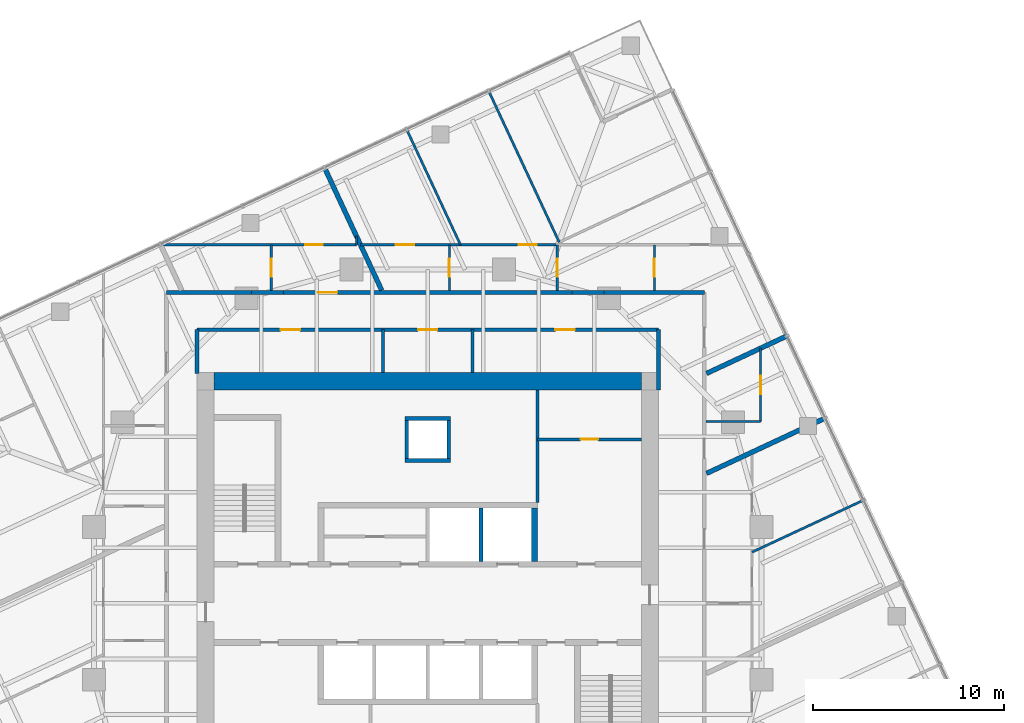
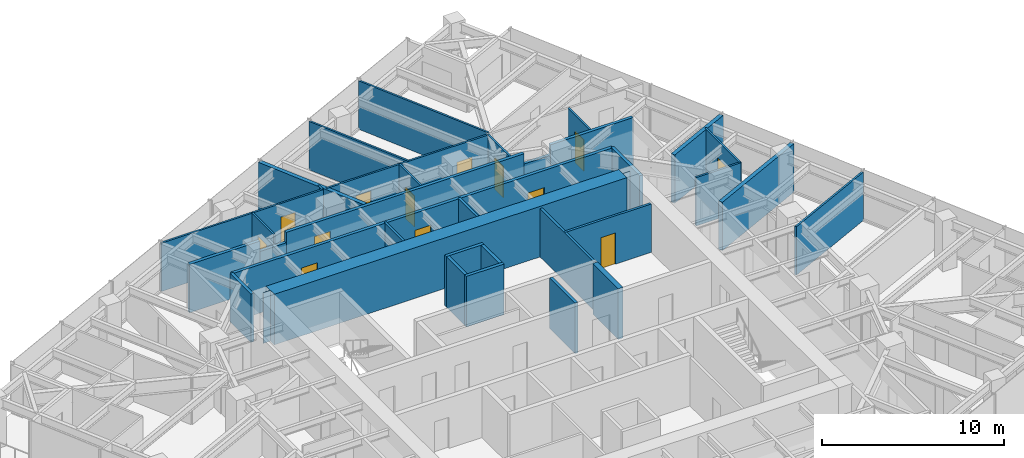
# One storey, part 11 of 13: 34 walls, 13 doors, 13 openings.
"""IFC4 building model written with IfcOpenShell, lengths in metres."""

from ifc_helpers import new_model, si_unit, direction, frame, frame_2d, origin, place, context, subcontext, project, spatial, polyline, rectangle, outline, extrude, material, layer, layer_set, type_object, element, fill, save


model = new_model("IFC4")

# Units and contexts
model_context = context("Model", 3, precision=1e-05, world=origin(), true_north=direction((0.0, 1.0)))
body_context = subcontext(model_context, "Body", "Model", "MODEL_VIEW")
ifc_project = project(units=[si_unit("LENGTHUNIT", "METRE"), si_unit("AREAUNIT", "SQUARE_METRE"), si_unit("VOLUMEUNIT", "CUBIC_METRE"), si_unit("PLANEANGLEUNIT", "RADIAN"), si_unit("MASSUNIT", "GRAM", prefix="KILO")], contexts=[model_context])

# Site, building, storey
site_placement = place(None, origin())
site = spatial("IfcSite", under=ifc_project, at=site_placement, CompositionType="ELEMENT")
building_placement = place(site_placement, origin())
building = spatial("IfcBuilding", under=site, at=building_placement, Name="Torsade Residences", CompositionType="ELEMENT")
storey_placement = place(building_placement, frame((0.0, 0.0, 179.39990234375)))
storey = spatial("IfcBuildingStorey", under=building, at=storey_placement, Name="L49", CompositionType="ELEMENT", Elevation=179.39990234375)

# Walls
ifc_material_1 = material(Name="Concrete 80 MPa", Category="concrete")
ifc_layer_1 = layer(ifc_material_1, 0.300048828125)
ifc_layer_set_1 = layer_set([ifc_layer_1], Name="Concrete 80 MPa")
wall_type_1 = type_object("IfcWallType", Name="CORE INTERNAL WALL 300", PredefinedType="SHEAR", material=ifc_layer_set_1)
wall_1_placement = place(storey_placement, frame((45.60009765625, 32.199951171875, 0.0), z_axis=(0.0, 0.0, 1.0), x_axis=(0.0, 1.0, 0.0)))
element("IfcWall", 1, at=wall_1_placement, inside=storey, type_object=wall_type_1, Name="Core wall DN4 L49", PredefinedType="SHEAR", context=body_context, shape_type="SweptSolid", body=[
    extrude(rectangle(XDim=2.800048828125, YDim=0.300048828125, at=frame_2d((1.39990234375, 0.0))), origin(), (0.0, 0.0, 1.0), 3.400146484375),
])
ifc_material_2 = material(Name="Concrete 80 MPa", Category="concrete")
ifc_layer_2 = layer(ifc_material_2, 0.89990234375)
ifc_layer_set_2 = layer_set([ifc_layer_2], Name="Concrete 80 MPa")
wall_type_2 = type_object("IfcWallType", Name="CORE WALL 900", PredefinedType="SHEAR", material=ifc_layer_set_2)
wall_2_placement = place(storey_placement, frame((28.800048828125, 41.64990234375, 0.0), z_axis=(0.0, 0.0, 1.0), x_axis=(1.0, 0.0, 0.0)))
element("IfcWall", 2, at=wall_2_placement, inside=storey, type_object=wall_type_2, Name="Core wall N L49", PredefinedType="SHEAR", context=body_context, shape_type="SweptSolid", body=[
    extrude(outline(polyline([(0.0, -0.449951171875), (22.39990234375, -0.449951171875), (22.39990234375, -0.02490234375), (22.849853515625, -0.02490234375), (22.849853515625, 0.02490234375), (22.39990234375, 0.02490234375), (22.39990234375, 0.449951171875), (0.0, 0.449951171875), (0.0, 0.02490234375), (-0.449951171875, 0.02490234375), (-0.449951171875, -0.02490234375), (0.0, -0.02490234375), (0.0, -0.449951171875)])), origin(), (0.0, 0.0, 1.0), 3.400146484375),
])
ifc_material_3 = material(Name="Plasterboard on steel stud", Category="steel")
ifc_layer_3 = layer(ifc_material_3, 0.199951171875)
ifc_layer_set_3 = layer_set([ifc_layer_3], Name="Plasterboard on steel stud")
wall_type_3 = type_object("IfcWallType", Name="CORRIDOR WALL 200", PredefinedType="PARTITIONING", material=ifc_layer_set_3)
wall_3_placement = place(storey_placement, frame((54.5, 46.300048828125, 0.0), z_axis=(0.0, 0.0, 1.0), x_axis=(-1.0, 0.0, 0.0)))
element("IfcWall", 3, at=wall_3_placement, inside=storey, type_object=wall_type_3, Name="Corridor wall L49", PredefinedType="PARTITIONING", context=body_context, shape_type="SweptSolid", body=[
    extrude(rectangle(XDim=5.25830078125, YDim=0.199951171875, at=frame_2d((2.629150390625, 0.0))), origin(), (0.0, 0.0, 1.0), 3.25),
])
wall_4_placement = place(storey_placement, frame((49.24169921875, 46.300048828125, 0.0), z_axis=(0.0, 0.0, 1.0), x_axis=(-1.0, 0.0, 0.0)))
element("IfcWall", 4, at=wall_4_placement, inside=storey, type_object=wall_type_3, Name="Corridor wall L49", PredefinedType="PARTITIONING", context=body_context, shape_type="SweptSolid", body=[
    extrude(rectangle(XDim=1.683349609375, YDim=0.199951171875, at=frame_2d((0.841796875, 0.0))), origin(), (0.0, 0.0, 1.0), 2.550048828125),
])

# Wall, opening, door
wall_5_placement = place(storey_placement, frame((47.558349609375, 46.300048828125, 0.0), z_axis=(0.0, 0.0, 1.0), x_axis=(-1.0, 0.0, 0.0)))
wall_5 = element("IfcWall", 5, at=wall_5_placement, inside=storey, type_object=wall_type_3, Name="Corridor wall L49", PredefinedType="PARTITIONING", context=body_context, shape_type="SweptSolid", body=[
    extrude(rectangle(XDim=15.11669921875, YDim=0.199951171875, at=frame_2d((7.558349609375, 0.0))), origin(), (0.0, 0.0, 1.0), 3.25),
])
opening_1_placement = place(wall_5_placement, frame((12.29541015625, 0.0, 0.0)))
opening_1 = element("IfcOpeningElement", 6, at=opening_1_placement, cuts=wall_5, Name="Opening D01", PredefinedType="OPENING", context=body_context, shape_type="SweptSolid", body=[
    extrude(rectangle(XDim=1.02001953125, YDim=2.340087890625, at=frame_2d((0.510009765625, 1.169921875))), frame((0.0, 0.10986328125, 0.0), z_axis=(0.0, -1.0, 0.0), x_axis=(1.0, 0.0, 0.0)), (0.0, 0.0, 1.0), 0.219970703125),
])
ifc_material_4 = material(Name="Solid-core timber fire door", Category="wood")
door_type_1 = type_object("IfcDoorType", Name="APARTMENT ENTRY DOOR 1020x2340", OperationType="NOTDEFINED", PredefinedType="DOOR", material=ifc_material_4)
door_1_placement = place(opening_1_placement, origin())
door_1 = element("IfcDoor", 7, at=door_1_placement, inside=storey, type_object=door_type_1, Name="Door Residential corridor to Kitchen and dining", OperationType="SINGLE_SWING_LEFT", OverallHeight=2.340087890625, OverallWidth=1.02001953125, PredefinedType="DOOR", context=body_context, shape_type="SweptSolid", body=[
    extrude(rectangle(XDim=1.02001953125, YDim=2.340087890625, at=frame_2d((0.510009765625, 1.169921875))), frame((0.0, 0.02490234375, 0.0), z_axis=(0.0, -1.0, 0.0), x_axis=(1.0, 0.0, 0.0)), (0.0, 0.0, 1.0), 0.050048828125),
])
fill(opening_1, door_1)

# Walls
wall_6_placement = place(storey_placement, frame((32.441650390625, 46.300048828125, 0.0), z_axis=(0.0, 0.0, 1.0), x_axis=(-1.0, 0.0, 0.0)))
element("IfcWall", 8, at=wall_6_placement, inside=storey, type_object=wall_type_3, Name="Corridor wall L49", PredefinedType="PARTITIONING", context=body_context, shape_type="SweptSolid", body=[
    extrude(rectangle(XDim=1.683349609375, YDim=0.199951171875, at=frame_2d((0.841796875, 0.0))), origin(), (0.0, 0.0, 1.0), 2.550048828125),
])
wall_7_placement = place(storey_placement, frame((30.75830078125, 46.300048828125, 0.0), z_axis=(0.0, 0.0, 1.0), x_axis=(-1.0, 0.0, 0.0)))
element("IfcWall", 9, at=wall_7_placement, inside=storey, type_object=wall_type_3, Name="Corridor wall L49", PredefinedType="PARTITIONING", context=body_context, shape_type="SweptSolid", body=[
    extrude(rectangle(XDim=4.458251953125, YDim=0.199951171875, at=frame_2d((2.22900390625, 0.0))), origin(), (0.0, 0.0, 1.0), 3.25),
])

# Wall, openings, doors
wall_8_placement = place(storey_placement, frame((52.10009765625, 44.35009765625, 0.0), z_axis=(0.0, 0.0, 1.0), x_axis=(-1.0, 0.0, 0.0)))
wall_8 = element("IfcWall", 10, at=wall_8_placement, inside=storey, type_object=wall_type_3, Name="Corridor wall L49", PredefinedType="PARTITIONING", context=body_context, shape_type="SweptSolid", body=[
    extrude(rectangle(XDim=24.2001953125, YDim=0.199951171875, at=frame_2d((12.10009765625, 0.0))), origin(), (0.0, 0.0, 1.0), 3.25),
])
opening_2_placement = place(wall_8_placement, frame((18.788818359375, 0.0, 0.0)))
opening_2 = element("IfcOpeningElement", 11, at=opening_2_placement, cuts=wall_8, Name="Opening D03", PredefinedType="OPENING", context=body_context, shape_type="SweptSolid", body=[
    extrude(rectangle(XDim=1.02001953125, YDim=2.10009765625, at=frame_2d((0.510009765625, 1.050048828125))), frame((0.0, 0.10986328125, 0.0), z_axis=(0.0, -1.0, 0.0), x_axis=(1.0, 0.0, 0.0)), (0.0, 0.0, 1.0), 0.219970703125),
])
opening_3_placement = place(wall_8_placement, frame((4.391357421875, 0.0, 0.0)))
opening_3 = element("IfcOpeningElement", 12, at=opening_3_placement, cuts=wall_8, Name="Opening D03", PredefinedType="OPENING", context=body_context, shape_type="SweptSolid", body=[
    extrude(rectangle(XDim=1.02001953125, YDim=2.10009765625, at=frame_2d((0.510009765625, 1.050048828125))), frame((0.0, 0.10986328125, 0.0), z_axis=(0.0, -1.0, 0.0), x_axis=(1.0, 0.0, 0.0)), (0.0, 0.0, 1.0), 0.219970703125),
])
opening_4_placement = place(wall_8_placement, frame((11.590087890625, 0.0, 0.0)))
opening_4 = element("IfcOpeningElement", 13, at=opening_4_placement, cuts=wall_8, Name="Opening D03", PredefinedType="OPENING", context=body_context, shape_type="SweptSolid", body=[
    extrude(rectangle(XDim=1.02001953125, YDim=2.10009765625, at=frame_2d((0.510009765625, 1.050048828125))), frame((0.0, 0.10986328125, 0.0), z_axis=(0.0, -1.0, 0.0), x_axis=(1.0, 0.0, 0.0)), (0.0, 0.0, 1.0), 0.219970703125),
])
ifc_material_5 = material(Name="Steel-framed fire door", Category="steel")
door_type_2 = type_object("IfcDoorType", Name="FIRE DOOR 1020", OperationType="NOTDEFINED", PredefinedType="DOOR", material=ifc_material_5)
door_2_placement = place(opening_2_placement, origin())
door_2 = element("IfcDoor", 14, at=door_2_placement, inside=storey, type_object=door_type_2, Name="Door Residential corridor to Residents storage", OperationType="SINGLE_SWING_LEFT", OverallHeight=2.10009765625, OverallWidth=1.02001953125, PredefinedType="DOOR", context=body_context, shape_type="SweptSolid", body=[
    extrude(rectangle(XDim=1.02001953125, YDim=2.10009765625, at=frame_2d((0.510009765625, 1.050048828125))), frame((0.0, 0.02490234375, 0.0), z_axis=(0.0, -1.0, 0.0), x_axis=(1.0, 0.0, 0.0)), (0.0, 0.0, 1.0), 0.050048828125),
])
fill(opening_2, door_2)
door_3_placement = place(opening_3_placement, origin())
door_3 = element("IfcDoor", 15, at=door_3_placement, inside=storey, type_object=door_type_2, Name="Door Residential corridor to Parcel room", OperationType="SINGLE_SWING_RIGHT", OverallHeight=2.10009765625, OverallWidth=1.02001953125, PredefinedType="DOOR", context=body_context, shape_type="SweptSolid", body=[
    extrude(rectangle(XDim=1.02001953125, YDim=2.10009765625, at=frame_2d((0.510009765625, 1.050048828125))), frame((0.0, 0.02490234375, 0.0), z_axis=(0.0, -1.0, 0.0), x_axis=(1.0, 0.0, 0.0)), (0.0, 0.0, 1.0), 0.050048828125),
])
fill(opening_3, door_3)
door_4_placement = place(opening_4_placement, origin())
door_4 = element("IfcDoor", 16, at=door_4_placement, inside=storey, type_object=door_type_2, Name="Door Residential corridor to Bulk store", OperationType="SINGLE_SWING_LEFT", OverallHeight=2.10009765625, OverallWidth=1.02001953125, PredefinedType="DOOR", context=body_context, shape_type="SweptSolid", body=[
    extrude(rectangle(XDim=1.02001953125, YDim=2.10009765625, at=frame_2d((0.510009765625, 1.050048828125))), frame((0.0, 0.02490234375, 0.0), z_axis=(0.0, -1.0, 0.0), x_axis=(1.0, 0.0, 0.0)), (0.0, 0.0, 1.0), 0.050048828125),
])
fill(opening_4, door_4)

# Walls
wall_9_placement = place(storey_placement, frame((27.89990234375, 44.35009765625, 0.0), z_axis=(0.0, 0.0, 1.0), x_axis=(0.0, -1.0, 0.0)))
element("IfcWall", 17, at=wall_9_placement, inside=storey, type_object=wall_type_3, Name="Corridor wall L49", PredefinedType="PARTITIONING", context=body_context, shape_type="SweptSolid", body=[
    extrude(rectangle(XDim=2.300048828125, YDim=0.199951171875, at=frame_2d((1.14990234375, 0.0))), origin(), (0.0, 0.0, 1.0), 3.25),
])
wall_10_placement = place(storey_placement, frame((52.10009765625, 41.179931640625, 0.0), z_axis=(0.0, 0.0, 1.0), x_axis=(0.0, 1.0, 0.0)))
element("IfcWall", 18, at=wall_10_placement, inside=storey, type_object=wall_type_3, Name="Corridor wall L49", PredefinedType="PARTITIONING", context=body_context, shape_type="SweptSolid", body=[
    extrude(rectangle(XDim=3.170166015625, YDim=0.199951171875, at=frame_2d((1.5849609375, 0.0))), origin(), (0.0, 0.0, 1.0), 3.25),
])
ifc_material_6 = material(Name="Reinforced blockwork", Category="masonry")
ifc_layer_4 = layer(ifc_material_6, 0.199951171875)
ifc_layer_set_4 = layer_set([ifc_layer_4], Name="Reinforced blockwork")
wall_type_4 = type_object("IfcWallType", Name="LIFT SHAFT DIVIDING WALL 200", PredefinedType="SOLIDWALL", material=ifc_layer_set_4)
wall_11_placement = place(storey_placement, frame((42.800048828125, 32.199951171875, 0.0), z_axis=(0.0, 0.0, 1.0), x_axis=(0.0, 1.0, 0.0)))
element("IfcWall", 19, at=wall_11_placement, inside=storey, type_object=wall_type_4, Name="Core wall DN3 L49", PredefinedType="SOLIDWALL", context=body_context, shape_type="SweptSolid", body=[
    extrude(rectangle(XDim=2.800048828125, YDim=0.199951171875, at=frame_2d((1.39990234375, 0.0))), origin(), (0.0, 0.0, 1.0), 3.400146484375),
])
ifc_material_7 = material(Name="Plasterboard on steel stud", Category="steel")
ifc_layer_5 = layer(ifc_material_7, 0.1201171875)
ifc_layer_set_5 = layer_set([ifc_layer_5], Name="Plasterboard on steel stud")
wall_type_5 = type_object("IfcWallType", Name="PARTITION 120", PredefinedType="PARTITIONING", material=ifc_layer_set_5)
wall_12_placement = place(storey_placement, frame((57.0, 32.686279296875, 0.0), z_axis=(0.0, 0.0, 1.0), x_axis=(0.906305562553, 0.422623032129, 0.0)))
element("IfcWall", 20, at=wall_12_placement, inside=storey, type_object=wall_type_5, Name="Partition L49", PredefinedType="PARTITIONING", context=body_context, shape_type="SweptSolid", body=[
    extrude(rectangle(XDim=6.41748046875, YDim=0.1201171875, at=frame_2d((3.208740234375, 0.0))), origin(), (0.0, 0.0, 1.0), 3.25),
])
wall_13_placement = place(storey_placement, frame((54.60009765625, 39.5380859375, 0.0), z_axis=(0.0, 0.0, 1.0), x_axis=(1.0, 0.0, 0.0)))
element("IfcWall", 21, at=wall_13_placement, inside=storey, type_object=wall_type_5, Name="Partition L49", PredefinedType="PARTITIONING", context=body_context, shape_type="SweptSolid", body=[
    extrude(rectangle(XDim=2.849853515625, YDim=0.1201171875, at=frame_2d((1.4248046875, 0.0))), origin(), (0.0, 0.0, 1.0), 3.25),
])

# Wall, opening, door
wall_14_placement = place(storey_placement, frame((57.449951171875, 39.5380859375, 0.0), z_axis=(0.0, 0.0, 1.0), x_axis=(0.0, 1.0, 0.0)))
wall_14 = element("IfcWall", 22, at=wall_14_placement, inside=storey, type_object=wall_type_5, Name="Partition L49", PredefinedType="PARTITIONING", context=body_context, shape_type="SweptSolid", body=[
    extrude(rectangle(XDim=3.840087890625, YDim=0.1201171875, at=frame_2d((1.919921875, 0.0))), origin(), (0.0, 0.0, 1.0), 3.25),
])
opening_5_placement = place(wall_14_placement, frame((1.43994140625, 0.0, 0.0)))
opening_5 = element("IfcOpeningElement", 23, at=opening_5_placement, cuts=wall_14, Name="Opening D05", PredefinedType="OPENING", context=body_context, shape_type="SweptSolid", body=[
    extrude(rectangle(XDim=0.9599609375, YDim=2.10009765625, at=frame_2d((0.47998046875, 1.050048828125))), frame((0.0, 0.070068359375, 0.0), z_axis=(0.0, -1.0, 0.0), x_axis=(1.0, 0.0, 0.0)), (0.0, 0.0, 1.0), 0.14013671875),
])
ifc_material_8 = material(Name="Hollow-core timber door in a steel cavity frame", Category="steel")
door_type_3 = type_object("IfcDoorType", Name="BATHROOM CAVITY SLIDING DOOR 960", OperationType="SLIDING_TO_LEFT", PredefinedType="DOOR", material=ifc_material_8)
door_5_placement = place(opening_5_placement, origin())
door_5 = element("IfcDoor", 24, at=door_5_placement, inside=storey, type_object=door_type_3, Name="Door Kitchen, living and sleeping to Bathroom", OperationType="SLIDING_TO_LEFT", OverallHeight=2.10009765625, OverallWidth=0.9599609375, PredefinedType="DOOR", context=body_context, shape_type="SweptSolid", body=[
    extrude(rectangle(XDim=0.9599609375, YDim=2.10009765625, at=frame_2d((0.47998046875, 1.050048828125))), frame((0.0, 0.02490234375, 0.0), z_axis=(0.0, -1.0, 0.0), x_axis=(1.0, 0.0, 0.0)), (0.0, 0.0, 1.0), 0.050048828125),
])
fill(opening_5, door_5)

wall_15_placement = place(storey_placement, frame((51.886474609375, 46.39990234375, 0.0), z_axis=(0.0, 0.0, 1.0), x_axis=(0.0, 1.0, 0.0)))
wall_15 = element("IfcWall", 25, at=wall_15_placement, inside=storey, type_object=wall_type_5, Name="Partition L49", PredefinedType="PARTITIONING", context=body_context, shape_type="SweptSolid", body=[
    extrude(rectangle(XDim=2.400146484375, YDim=0.1201171875, at=frame_2d((1.2001953125, 0.0))), origin(), (0.0, 0.0, 1.0), 3.25),
])
opening_6_placement = place(wall_15_placement, frame((0.719970703125, 0.0, 0.0)))
opening_6 = element("IfcOpeningElement", 26, at=opening_6_placement, cuts=wall_15, Name="Opening D05", PredefinedType="OPENING", context=body_context, shape_type="SweptSolid", body=[
    extrude(rectangle(XDim=0.9599609375, YDim=2.10009765625, at=frame_2d((0.47998046875, 1.050048828125))), frame((0.0, 0.070068359375, 0.0), z_axis=(0.0, -1.0, 0.0), x_axis=(1.0, 0.0, 0.0)), (0.0, 0.0, 1.0), 0.14013671875),
])
door_6_placement = place(opening_6_placement, origin())
door_6 = element("IfcDoor", 27, at=door_6_placement, inside=storey, type_object=door_type_3, Name="Door Kitchen and dining to Ensuite", OperationType="SLIDING_TO_LEFT", OverallHeight=2.10009765625, OverallWidth=0.9599609375, PredefinedType="DOOR", context=body_context, shape_type="SweptSolid", body=[
    extrude(rectangle(XDim=0.9599609375, YDim=2.10009765625, at=frame_2d((0.47998046875, 1.050048828125))), frame((0.0, 0.02490234375, 0.0), z_axis=(0.0, -1.0, 0.0), x_axis=(1.0, 0.0, 0.0)), (0.0, 0.0, 1.0), 0.050048828125),
])
fill(opening_6, door_6)

wall_16_placement = place(storey_placement, frame((46.782958984375, 48.800048828125, 0.0), z_axis=(0.0, 0.0, 1.0), x_axis=(0.0, -1.0, 0.0)))
wall_16 = element("IfcWall", 28, at=wall_16_placement, inside=storey, type_object=wall_type_5, Name="Partition L49", PredefinedType="PARTITIONING", context=body_context, shape_type="SweptSolid", body=[
    extrude(rectangle(XDim=2.400146484375, YDim=0.1201171875, at=frame_2d((1.2001953125, 0.0))), origin(), (0.0, 0.0, 1.0), 3.25),
])
opening_7_placement = place(wall_16_placement, frame((0.719970703125, 0.0, 0.0)))
opening_7 = element("IfcOpeningElement", 29, at=opening_7_placement, cuts=wall_16, Name="Opening D05", PredefinedType="OPENING", context=body_context, shape_type="SweptSolid", body=[
    extrude(rectangle(XDim=0.9599609375, YDim=2.10009765625, at=frame_2d((0.47998046875, 1.050048828125))), frame((0.0, 0.070068359375, 0.0), z_axis=(0.0, -1.0, 0.0), x_axis=(1.0, 0.0, 0.0)), (0.0, 0.0, 1.0), 0.14013671875),
])
door_7_placement = place(opening_7_placement, origin())
door_7 = element("IfcDoor", 30, at=door_7_placement, inside=storey, type_object=door_type_3, Name="Door Ensuite to Bathroom", OperationType="SLIDING_TO_LEFT", OverallHeight=2.10009765625, OverallWidth=0.9599609375, PredefinedType="DOOR", context=body_context, shape_type="SweptSolid", body=[
    extrude(rectangle(XDim=0.9599609375, YDim=2.10009765625, at=frame_2d((0.47998046875, 1.050048828125))), frame((0.0, 0.02490234375, 0.0), z_axis=(0.0, -1.0, 0.0), x_axis=(1.0, 0.0, 0.0)), (0.0, 0.0, 1.0), 0.050048828125),
])
fill(opening_7, door_7)

wall_17_placement = place(storey_placement, frame((41.13720703125, 46.39990234375, 0.0), z_axis=(0.0, 0.0, 1.0), x_axis=(0.0, 1.0, 0.0)))
wall_17 = element("IfcWall", 31, at=wall_17_placement, inside=storey, type_object=wall_type_5, Name="Partition L49", PredefinedType="PARTITIONING", context=body_context, shape_type="SweptSolid", body=[
    extrude(rectangle(XDim=2.400146484375, YDim=0.1201171875, at=frame_2d((1.2001953125, 0.0))), origin(), (0.0, 0.0, 1.0), 3.25),
])
opening_8_placement = place(wall_17_placement, frame((0.719970703125, 0.0, 0.0)))
opening_8 = element("IfcOpeningElement", 32, at=opening_8_placement, cuts=wall_17, Name="Opening D05", PredefinedType="OPENING", context=body_context, shape_type="SweptSolid", body=[
    extrude(rectangle(XDim=0.9599609375, YDim=2.10009765625, at=frame_2d((0.47998046875, 1.050048828125))), frame((0.0, 0.070068359375, 0.0), z_axis=(0.0, -1.0, 0.0), x_axis=(1.0, 0.0, 0.0)), (0.0, 0.0, 1.0), 0.14013671875),
])
door_8_placement = place(opening_8_placement, origin())
door_8 = element("IfcDoor", 33, at=door_8_placement, inside=storey, type_object=door_type_3, Name="Door Bathroom to Laundry", OperationType="SLIDING_TO_LEFT", OverallHeight=2.10009765625, OverallWidth=0.9599609375, PredefinedType="DOOR", context=body_context, shape_type="SweptSolid", body=[
    extrude(rectangle(XDim=0.9599609375, YDim=2.10009765625, at=frame_2d((0.47998046875, 1.050048828125))), frame((0.0, 0.02490234375, 0.0), z_axis=(0.0, -1.0, 0.0), x_axis=(1.0, 0.0, 0.0)), (0.0, 0.0, 1.0), 0.050048828125),
])
fill(opening_8, door_8)

# Wall, openings, doors
wall_18_placement = place(storey_placement, frame((36.474609375, 48.800048828125, 0.0), z_axis=(0.0, 0.0, 1.0), x_axis=(1.0, 0.0, 0.0)))
wall_18 = element("IfcWall", 34, at=wall_18_placement, inside=storey, type_object=wall_type_5, Name="Partition L49", PredefinedType="PARTITIONING", context=body_context, shape_type="SweptSolid", body=[
    extrude(rectangle(XDim=10.241943359375, YDim=0.1201171875, at=frame_2d((5.12109375, 0.0))), origin(), (0.0, 0.0, 1.0), 3.25),
])
opening_9_placement = place(wall_18_placement, frame((8.283935546875, 0.0, 0.0)))
opening_9 = element("IfcOpeningElement", 35, at=opening_9_placement, cuts=wall_18, Name="Opening D05", PredefinedType="OPENING", context=body_context, shape_type="SweptSolid", body=[
    extrude(rectangle(XDim=0.9599609375, YDim=2.10009765625, at=frame_2d((0.47998046875, 1.050048828125))), frame((0.0, 0.070068359375, 0.0), z_axis=(0.0, -1.0, 0.0), x_axis=(1.0, 0.0, 0.0)), (0.0, 0.0, 1.0), 0.14013671875),
])
opening_10_placement = place(wall_18_placement, frame((1.851318359375, 0.0, 0.0)))
opening_10 = element("IfcOpeningElement", 36, at=opening_10_placement, cuts=wall_18, Name="Opening D05", PredefinedType="OPENING", context=body_context, shape_type="SweptSolid", body=[
    extrude(rectangle(XDim=0.9599609375, YDim=2.10009765625, at=frame_2d((0.47998046875, 1.050048828125))), frame((0.0, 0.070068359375, 0.0), z_axis=(0.0, -1.0, 0.0), x_axis=(1.0, 0.0, 0.0)), (0.0, 0.0, 1.0), 0.14013671875),
])
door_9_placement = place(opening_9_placement, origin())
door_9 = element("IfcDoor", 37, at=door_9_placement, inside=storey, type_object=door_type_3, Name="Door Bathroom to Bedroom 1", OperationType="SLIDING_TO_LEFT", OverallHeight=2.10009765625, OverallWidth=0.9599609375, PredefinedType="DOOR", context=body_context, shape_type="SweptSolid", body=[
    extrude(rectangle(XDim=0.9599609375, YDim=2.10009765625, at=frame_2d((0.47998046875, 1.050048828125))), frame((0.0, 0.02490234375, 0.0), z_axis=(0.0, -1.0, 0.0), x_axis=(1.0, 0.0, 0.0)), (0.0, 0.0, 1.0), 0.050048828125),
])
fill(opening_9, door_9)
door_10_placement = place(opening_10_placement, origin())
door_10 = element("IfcDoor", 38, at=door_10_placement, inside=storey, type_object=door_type_3, Name="Door Laundry to Bedroom 2", OperationType="SLIDING_TO_LEFT", OverallHeight=2.10009765625, OverallWidth=0.9599609375, PredefinedType="DOOR", context=body_context, shape_type="SweptSolid", body=[
    extrude(rectangle(XDim=0.9599609375, YDim=2.10009765625, at=frame_2d((0.47998046875, 1.050048828125))), frame((0.0, 0.02490234375, 0.0), z_axis=(0.0, -1.0, 0.0), x_axis=(1.0, 0.0, 0.0)), (0.0, 0.0, 1.0), 0.050048828125),
])
fill(opening_10, door_10)

# Walls
wall_19_placement = place(storey_placement, frame((46.892578125, 48.937255859375, 0.0), z_axis=(0.0, 0.0, 1.0), x_axis=(-0.422638395676, 0.906298398156, 0.0)))
element("IfcWall", 39, at=wall_19_placement, inside=storey, type_object=wall_type_5, Name="Partition L49", PredefinedType="PARTITIONING", context=body_context, shape_type="SweptSolid", body=[
    extrude(rectangle(XDim=8.7099609375, YDim=0.1201171875, at=frame_2d((4.35498046875, 0.0))), origin(), (0.0, 0.0, 1.0), 3.25),
])
wall_20_placement = place(storey_placement, frame((41.715576171875, 48.800048828125, 0.0), z_axis=(0.0, 0.0, 1.0), x_axis=(-0.422642131948, 0.906296655793, 0.0)))
element("IfcWall", 40, at=wall_20_placement, inside=storey, type_object=wall_type_5, Name="Partition L49", PredefinedType="PARTITIONING", context=body_context, shape_type="SweptSolid", body=[
    extrude(rectangle(XDim=6.646484375, YDim=0.1201171875, at=frame_2d((3.3232421875, 0.0))), origin(), (0.0, 0.0, 1.0), 3.25),
])

# Wall, opening, door
wall_21_placement = place(storey_placement, frame((25.99267578125, 48.800048828125, 0.0), z_axis=(0.0, 0.0, 1.0), x_axis=(1.0, 0.0, 0.0)))
wall_21 = element("IfcWall", 41, at=wall_21_placement, inside=storey, type_object=wall_type_5, Name="Partition L49", PredefinedType="PARTITIONING", context=body_context, shape_type="SweptSolid", body=[
    extrude(rectangle(XDim=10.27197265625, YDim=0.1201171875, at=frame_2d((5.135986328125, 0.0))), origin(), (0.0, 0.0, 1.0), 3.25),
])
opening_11_placement = place(wall_21_placement, frame((7.576171875, 0.0, 0.0)))
opening_11 = element("IfcOpeningElement", 42, at=opening_11_placement, cuts=wall_21, Name="Opening D02", PredefinedType="OPENING", context=body_context, shape_type="SweptSolid", body=[
    extrude(rectangle(XDim=0.919921875, YDim=2.340087890625, at=frame_2d((0.4599609375, 1.169921875))), frame((0.0, 0.070068359375, 0.0), z_axis=(0.0, -1.0, 0.0), x_axis=(1.0, 0.0, 0.0)), (0.0, 0.0, 1.0), 0.14013671875),
])
ifc_material_9 = material(Name="Hollow-core timber door", Category="wood")
door_type_4 = type_object("IfcDoorType", Name="INTERNAL DOOR 920x2340", OperationType="NOTDEFINED", PredefinedType="DOOR", material=ifc_material_9)
door_11_placement = place(opening_11_placement, origin())
door_11 = element("IfcDoor", 43, at=door_11_placement, inside=storey, type_object=door_type_4, Name="Door Kitchen and dining to Studio living and sleeping", OperationType="SINGLE_SWING_RIGHT", OverallHeight=2.340087890625, OverallWidth=0.919921875, PredefinedType="DOOR", context=body_context, shape_type="SweptSolid", body=[
    extrude(rectangle(XDim=0.919921875, YDim=2.340087890625, at=frame_2d((0.4599609375, 1.169921875))), frame((0.0, 0.02490234375, 0.0), z_axis=(0.0, -1.0, 0.0), x_axis=(1.0, 0.0, 0.0)), (0.0, 0.0, 1.0), 0.050048828125),
])
fill(opening_11, door_11)

# Wall
wall_22_placement = place(storey_placement, frame((36.2646484375, 48.800048828125, 0.0), z_axis=(0.0, 0.0, 1.0), x_axis=(0.0, 1.0, 0.0)))
element("IfcWall", 44, at=wall_22_placement, inside=storey, type_object=wall_type_5, Name="Partition L49", PredefinedType="PARTITIONING", context=body_context, shape_type="SweptSolid", body=[
    extrude(rectangle(XDim=0.449951171875, YDim=0.1201171875, at=frame_2d((0.22509765625, 0.0))), origin(), (0.0, 0.0, 1.0), 3.25),
])

# Wall, opening, door
wall_23_placement = place(storey_placement, frame((31.79296875, 46.39990234375, 0.0), z_axis=(0.0, 0.0, 1.0), x_axis=(0.0, 1.0, 0.0)))
wall_23 = element("IfcWall", 45, at=wall_23_placement, inside=storey, type_object=wall_type_5, Name="Partition L49", PredefinedType="PARTITIONING", context=body_context, shape_type="SweptSolid", body=[
    extrude(rectangle(XDim=2.400146484375, YDim=0.1201171875, at=frame_2d((1.2001953125, 0.0))), origin(), (0.0, 0.0, 1.0), 3.25),
])
opening_12_placement = place(wall_23_placement, frame((0.719970703125, 0.0, 0.0)))
opening_12 = element("IfcOpeningElement", 46, at=opening_12_placement, cuts=wall_23, Name="Opening D05", PredefinedType="OPENING", context=body_context, shape_type="SweptSolid", body=[
    extrude(rectangle(XDim=0.9599609375, YDim=2.10009765625, at=frame_2d((0.47998046875, 1.050048828125))), frame((0.0, 0.070068359375, 0.0), z_axis=(0.0, -1.0, 0.0), x_axis=(1.0, 0.0, 0.0)), (0.0, 0.0, 1.0), 0.14013671875),
])
door_12_placement = place(opening_12_placement, origin())
door_12 = element("IfcDoor", 47, at=door_12_placement, inside=storey, type_object=door_type_3, Name="Door Kitchen and dining to Bathroom", OperationType="SLIDING_TO_LEFT", OverallHeight=2.10009765625, OverallWidth=0.9599609375, PredefinedType="DOOR", context=body_context, shape_type="SweptSolid", body=[
    extrude(rectangle(XDim=0.9599609375, YDim=2.10009765625, at=frame_2d((0.47998046875, 1.050048828125))), frame((0.0, 0.02490234375, 0.0), z_axis=(0.0, -1.0, 0.0), x_axis=(1.0, 0.0, 0.0)), (0.0, 0.0, 1.0), 0.050048828125),
])
fill(opening_12, door_12)

# Walls
ifc_material_10 = material(Name="Masonry-lined stud party wall", Category="masonry")
ifc_layer_6 = layer(ifc_material_10, 0.25)
ifc_layer_set_6 = layer_set([ifc_layer_6], Name="Masonry-lined stud party wall")
wall_type_6 = type_object("IfcWallType", Name="PARTY WALL 250", PredefinedType="PARTITIONING", material=ifc_layer_set_6)
wall_24_placement = place(storey_placement, frame((60.844970703125, 39.72021484375, 0.0), z_axis=(0.0, 0.0, 1.0), x_axis=(-0.90631378723, -0.422605394046, 0.0)))
element("IfcWall", 48, at=wall_24_placement, inside=storey, type_object=wall_type_6, Name="Party wall L49", PredefinedType="PARTITIONING", context=body_context, shape_type="SweptSolid", body=[
    extrude(rectangle(XDim=6.872314453125, YDim=0.25, at=frame_2d((3.43603515625, 0.0))), origin(), (0.0, 0.0, 1.0), 3.25),
])
wall_25_placement = place(storey_placement, frame((58.837646484375, 44.025146484375, 0.0), z_axis=(0.0, 0.0, 1.0), x_axis=(-0.906317010604, -0.422598481173, 0.0)))
element("IfcWall", 49, at=wall_25_placement, inside=storey, type_object=wall_type_6, Name="Party wall L49", PredefinedType="PARTITIONING", context=body_context, shape_type="SweptSolid", body=[
    extrude(rectangle(XDim=4.657470703125, YDim=0.25, at=frame_2d((2.32861328125, 0.0))), origin(), (0.0, 0.0, 1.0), 3.25),
])
wall_26_placement = place(storey_placement, frame((34.584716796875, 52.8525390625, 0.0), z_axis=(0.0, 0.0, 1.0), x_axis=(0.422623839356, -0.906305186131, 0.0)))
element("IfcWall", 50, at=wall_26_placement, inside=storey, type_object=wall_type_6, Name="Party wall L49", PredefinedType="PARTITIONING", context=body_context, shape_type="SweptSolid", body=[
    extrude(rectangle(XDim=7.101318359375, YDim=0.25, at=frame_2d((3.55078125, 0.0))), origin(), (0.0, 0.0, 1.0), 3.25),
])
ifc_material_11 = material(Name="Reinforced blockwork", Category="masonry")
ifc_layer_7 = layer(ifc_material_11, 0.199951171875)
ifc_layer_set_7 = layer_set([ifc_layer_7], Name="Reinforced blockwork")
wall_type_7 = type_object("IfcWallType", Name="RISER SHAFT WALL 200", PredefinedType="SOLIDWALL", material=ifc_layer_set_7)
for number, where, z_axis, x_axis, name in (
    (51, (38.89990234375, 37.60009765625, 0.0), (0.0, 0.0, 1.0), (0.0, 1.0, 0.0), "Core wall RS1a L49"),
    (52, (41.10009765625, 37.60009765625, 0.0), (0.0, 0.0, 1.0), (0.0, 1.0, 0.0), "Core wall RS1b L49"),
):
    element("IfcWall", number, at=place(storey_placement, frame(where, z_axis=z_axis, x_axis=x_axis)), inside=storey, type_object=wall_type_7, Name=name, PredefinedType="SOLIDWALL", context=body_context, shape_type="SweptSolid", body=[
        extrude(rectangle(XDim=2.0, YDim=0.199951171875, at=frame_2d((1.0, 0.0))), origin(), (0.0, 0.0, 1.0), 3.400146484375),
    ])
for number, where, z_axis, x_axis, name in (
    (53, (38.800048828125, 37.5, 0.0), (0.0, 0.0, 1.0), (1.0, 0.0, 0.0), "Core wall RS1c L49"),
    (54, (38.800048828125, 39.699951171875, 0.0), (0.0, 0.0, 1.0), (1.0, 0.0, 0.0), "Core wall RS1d L49"),
):
    element("IfcWall", number, at=place(storey_placement, frame(where, z_axis=z_axis, x_axis=x_axis)), inside=storey, type_object=wall_type_7, Name=name, PredefinedType="SOLIDWALL", context=body_context, shape_type="SweptSolid", body=[
        extrude(rectangle(XDim=2.39990234375, YDim=0.199951171875, at=frame_2d((1.199951171875, 0.0))), origin(), (0.0, 0.0, 1.0), 3.400146484375),
    ])
ifc_material_12 = material(Name="Reinforced blockwork", Category="masonry")
ifc_layer_8 = layer(ifc_material_12, 0.14990234375)
ifc_layer_set_8 = layer_set([ifc_layer_8], Name="Reinforced blockwork")
wall_type_8 = type_object("IfcWallType", Name="SERVICE ROOM WALL 150", PredefinedType="SOLIDWALL", material=ifc_layer_set_8)
wall_27_placement = place(storey_placement, frame((45.75, 41.199951171875, 0.0), z_axis=(0.0, 0.0, 1.0), x_axis=(0.0, -1.0, 0.0)))
element("IfcWall", 55, at=wall_27_placement, inside=storey, type_object=wall_type_8, Name="Service room wall L49", PredefinedType="SOLIDWALL", context=body_context, shape_type="SweptSolid", body=[
    extrude(rectangle(XDim=5.89990234375, YDim=0.14990234375, at=frame_2d((2.949951171875, 0.0))), origin(), (0.0, 0.0, 1.0), 3.25),
])

# Wall, opening, door
wall_28_placement = place(storey_placement, frame((45.75, 38.60009765625, 0.0), z_axis=(0.0, 0.0, 1.0), x_axis=(1.0, 0.0, 0.0)))
wall_28 = element("IfcWall", 56, at=wall_28_placement, inside=storey, type_object=wall_type_8, Name="Service room wall L49", PredefinedType="SOLIDWALL", context=body_context, shape_type="SweptSolid", body=[
    extrude(rectangle(XDim=5.449951171875, YDim=0.14990234375, at=frame_2d((2.72509765625, 0.0))), origin(), (0.0, 0.0, 1.0), 3.25),
])
opening_13_placement = place(wall_28_placement, frame((2.264892578125, 0.0, 0.0)))
opening_13 = element("IfcOpeningElement", 57, at=opening_13_placement, cuts=wall_28, Name="Opening D06", PredefinedType="OPENING", context=body_context, shape_type="SweptSolid", body=[
    extrude(rectangle(XDim=0.919921875, YDim=2.10009765625, at=frame_2d((0.4599609375, 1.050048828125))), frame((0.0, 0.0849609375, 0.0), z_axis=(0.0, -1.0, 0.0), x_axis=(1.0, 0.0, 0.0)), (0.0, 0.0, 1.0), 0.169921875),
])
ifc_material_13 = material(Name="Steel-framed fire door", Category="steel")
door_type_5 = type_object("IfcDoorType", Name="FIRE DOOR 920", OperationType="NOTDEFINED", PredefinedType="DOOR", material=ifc_material_13)
door_13_placement = place(opening_13_placement, origin())
door_13 = element("IfcDoor", 58, at=door_13_placement, inside=storey, type_object=door_type_5, Name="Door Refuse room to Linen store", OperationType="SINGLE_SWING_LEFT", OverallHeight=2.10009765625, OverallWidth=0.919921875, PredefinedType="DOOR", context=body_context, shape_type="SweptSolid", body=[
    extrude(rectangle(XDim=0.919921875, YDim=2.10009765625, at=frame_2d((0.4599609375, 1.050048828125))), frame((0.0, 0.02490234375, 0.0), z_axis=(0.0, -1.0, 0.0), x_axis=(1.0, 0.0, 0.0)), (0.0, 0.0, 1.0), 0.050048828125),
])
fill(opening_13, door_13)

# Walls
for number, where, z_axis, x_axis, name in (
    (59, (37.652587890625, 42.10009765625, 0.0), (0.0, 0.0, 1.0), (0.0, 1.0, 0.0), "Service room wall L49"),
    (60, (42.347412109375, 42.10009765625, 0.0), (0.0, 0.0, 1.0), (0.0, 1.0, 0.0), "Service room wall L49"),
):
    element("IfcWall", number, at=place(storey_placement, frame(where, z_axis=z_axis, x_axis=x_axis)), inside=storey, type_object=wall_type_8, Name=name, PredefinedType="SOLIDWALL", context=body_context, shape_type="SweptSolid", body=[
        extrude(rectangle(XDim=2.25, YDim=0.14990234375, at=frame_2d((1.125, 0.0))), origin(), (0.0, 0.0, 1.0), 3.25),
    ])

save(model, "model.ifc")
